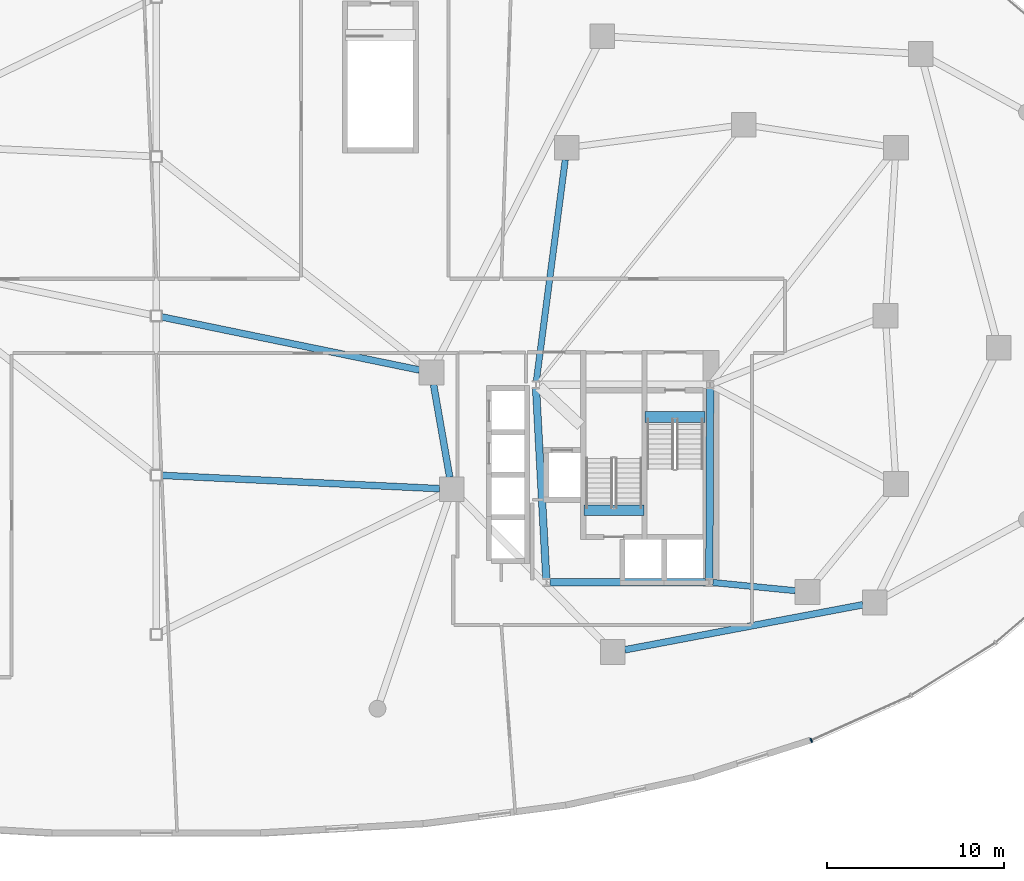
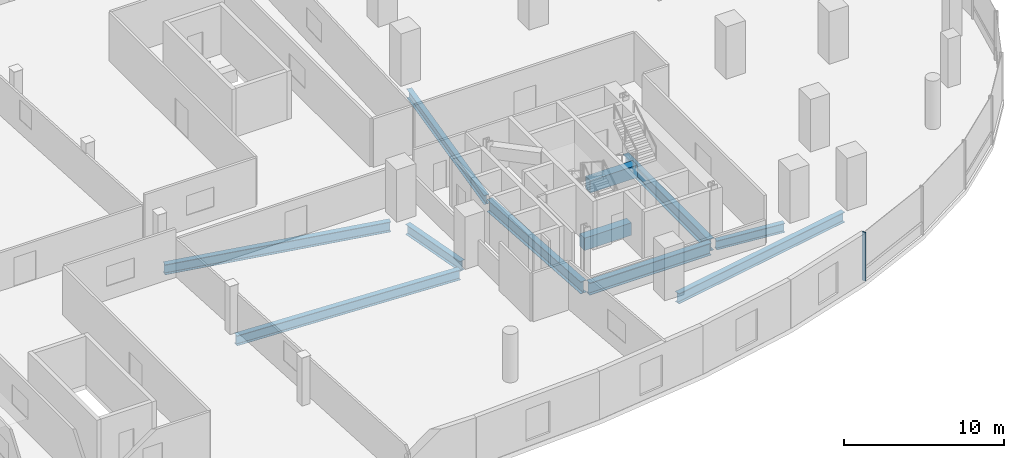
# One storey, part 7 of 18: 11 beams, 1 member, 1 element without a shape of its own.
"""IFC4 building model written with IfcOpenShell, lengths in metres."""

from ifc_helpers import new_model, si_unit, direction, frame, origin, origin_2d, place, context, subcontext, project, spatial, rectangle, i_section, extrude, material, material_profile, profile_set, type_object, element, aggregate, save


model = new_model("IFC4")

# Units and contexts
model_context = context("Model", 3, precision=1e-05, world=origin(), true_north=direction((0.0, 1.0)))
body_context = subcontext(model_context, "Body", "Model", "MODEL_VIEW")
ifc_project = project(units=[si_unit("LENGTHUNIT", "METRE"), si_unit("AREAUNIT", "SQUARE_METRE"), si_unit("VOLUMEUNIT", "CUBIC_METRE"), si_unit("PLANEANGLEUNIT", "RADIAN"), si_unit("MASSUNIT", "GRAM", prefix="KILO"), si_unit("THERMODYNAMICTEMPERATUREUNIT", "KELVIN"), si_unit("POWERUNIT", "WATT")], contexts=[model_context])

# Site, building, storey
site_placement = place(None, origin())
site = spatial("IfcSite", under=ifc_project, at=site_placement, CompositionType="ELEMENT")
building_placement = place(site_placement, origin())
building = spatial("IfcBuilding", under=site, at=building_placement, Name="Cundina Bronze Exchange", CompositionType="ELEMENT")
storey_placement = place(building_placement, frame((0.0, 0.0, 20.0)))
storey = spatial("IfcBuildingStorey", under=building, at=storey_placement, Name="L04", CompositionType="ELEMENT", Elevation=20.0)

# Beams
ifc_material_1 = material(Name="Concrete C60/75", Category="concrete")
ifc_material_profile_1 = material_profile(ifc_material_1, rectangle(XDim=0.60009765625, YDim=0.949951171875, at=origin_2d()), Name="RC600X950", Category="concrete")
ifc_profile_set_1 = profile_set([ifc_material_profile_1], Name="Concrete C60/75")
beam_type_1 = type_object("IfcBeamType", Name="BM-COUP-RC950", PredefinedType="LINTEL", material=ifc_profile_set_1)
beam_1_placement = place(storey_placement, frame((27.6201171875, -5.719970703125, -0.47509765625), z_axis=(1.0, 0.0, 0.0), x_axis=(0.0, 1.0, 0.0)))
element("IfcBeam", 1, at=beam_1_placement, inside=storey, type_object=beam_type_1, Name="L04 Stair E1 Landing Header Beam", PredefinedType="LINTEL", context=body_context, shape_type="SweptSolid", body=[
    extrude(rectangle(XDim=0.60009765625, YDim=0.949951171875, at=origin_2d()), origin(), (0.0, 0.0, 1.0), 3.39990234375),
])
beam_2_placement = place(storey_placement, frame((24.159912109375, -10.97998046875, -0.47509765625), z_axis=(1.0, 0.0, 0.0), x_axis=(0.0, 1.0, 0.0)))
element("IfcBeam", 2, at=beam_2_placement, inside=storey, type_object=beam_type_1, Name="L04 Stair E2 Landing Header Beam", PredefinedType="LINTEL", context=body_context, shape_type="SweptSolid", body=[
    extrude(rectangle(XDim=0.60009765625, YDim=0.949951171875, at=origin_2d()), origin(), (0.0, 0.0, 1.0), 3.400146484375),
])
ifc_material_2 = material(Name="Steel ASTM A992 Grade 50", Category="steel")
ifc_material_profile_2 = material_profile(ifc_material_2, i_section(OverallWidth=0.35498046875, OverallDepth=0.695068359375, WebThickness=0.015380859375, FlangeThickness=0.02490234375, FilletRadius=0.01806640625, at=origin_2d()), Name="W27X146", Category="steel")
ifc_profile_set_2 = profile_set([ifc_material_profile_2], Name="Steel ASTM A992 Grade 50")
beam_type_2 = type_object("IfcBeamType", Name="BM-RING-W27", PredefinedType="USERDEFINED", material=ifc_profile_set_2)
beam_3_placement = place(storey_placement, frame((31.452880859375, -15.070068359375, -0.697509765625), z_axis=(0.995123484374, -0.098636964914, 0.0), x_axis=(0.098636964914, 0.995123484374, 0.0)))
element("IfcBeam", 3, at=beam_3_placement, inside=storey, type_object=beam_type_2, Name="L04 E Inner Structural Ring Girder 01", ObjectType="GIRDER", PredefinedType="USERDEFINED", context=body_context, shape_type="SweptSolid", body=[
    extrude(i_section(OverallWidth=0.35498046875, OverallDepth=0.695068359375, WebThickness=0.015380859375, FlangeThickness=0.02490234375, FilletRadius=0.01806640625, at=origin_2d()), origin(), (0.0, 0.0, 1.0), 4.685546875),
])
beam_4_placement = place(storey_placement, frame((23.11083984375, 8.81787109375, -0.697509765625), z_axis=(-0.129498776905, -0.991579581668, 0.0), x_axis=(0.991579581668, -0.129498776905, 0.0)))
element("IfcBeam", 4, at=beam_4_placement, inside=storey, type_object=beam_type_2, Name="L04 E Inner Structural Ring Girder 07", ObjectType="GIRDER", PredefinedType="USERDEFINED", context=body_context, shape_type="SweptSolid", body=[
    extrude(i_section(OverallWidth=0.35498046875, OverallDepth=0.695068359375, WebThickness=0.015380859375, FlangeThickness=0.02490234375, FilletRadius=0.01806640625, at=origin_2d()), origin(), (0.0, 0.0, 1.0), 12.621826171875),
])
ifc_material_profile_3 = material_profile(ifc_material_2, i_section(OverallWidth=0.381103515625, OverallDepth=0.77294921875, WebThickness=0.0166015625, FlangeThickness=0.027099609375, FilletRadius=0.01904296875, at=origin_2d()), Name="W30X173", Category="steel")
ifc_profile_set_3 = profile_set([ifc_material_profile_3], Name="Steel ASTM A992 Grade 50")
beam_type_3 = type_object("IfcBeamType", Name="BM-RING-W30", PredefinedType="USERDEFINED", material=ifc_profile_set_3)
beam_5_placement = place(storey_placement, frame((0.28759765625, -9.013916015625, -0.736572265625), z_axis=(0.998854942473, -0.047841445389, 0.0), x_axis=(0.047841445389, 0.998854942473, 0.0)))
element("IfcBeam", 5, at=beam_5_placement, inside=storey, type_object=beam_type_3, Name="L04 Concourse East Span Girder 02", ObjectType="GIRDER", PredefinedType="USERDEFINED", context=body_context, shape_type="SweptSolid", body=[
    extrude(i_section(OverallWidth=0.381103515625, OverallDepth=0.77294921875, WebThickness=0.0166015625, FlangeThickness=0.027099609375, FilletRadius=0.01904296875, at=origin_2d()), origin(), (0.0, 0.0, 1.0), 15.7431640625),
])
beam_6_placement = place(storey_placement, frame((0.281982421875, -0.05810546875, -0.736572265625), z_axis=(0.979477217361, -0.201554907336, 0.0), x_axis=(0.201554907336, 0.979477217361, 0.0)))
element("IfcBeam", 6, at=beam_6_placement, inside=storey, type_object=beam_type_3, Name="L04 Concourse East Span Girder 03", ObjectType="GIRDER", PredefinedType="USERDEFINED", context=body_context, shape_type="SweptSolid", body=[
    extrude(i_section(OverallWidth=0.381103515625, OverallDepth=0.77294921875, WebThickness=0.0166015625, FlangeThickness=0.027099609375, FilletRadius=0.01904296875, at=origin_2d()), origin(), (0.0, 0.0, 1.0), 14.900146484375),
])
beam_7_placement = place(storey_placement, frame((15.668212890625, -3.877685546875, -0.736572265625), z_axis=(0.171608250567, -0.985165269555, 0.0), x_axis=(0.985165269555, 0.171608250567, 0.0)))
element("IfcBeam", 7, at=beam_7_placement, inside=storey, type_object=beam_type_3, Name="L04 E Podium Ring Girder 00", ObjectType="GIRDER", PredefinedType="USERDEFINED", context=body_context, shape_type="SweptSolid", body=[
    extrude(i_section(OverallWidth=0.381103515625, OverallDepth=0.77294921875, WebThickness=0.0166015625, FlangeThickness=0.027099609375, FilletRadius=0.01904296875, at=origin_2d()), origin(), (0.0, 0.0, 1.0), 5.323486328125),
])
beam_8_placement = place(storey_placement, frame((26.47607421875, -18.8720703125, -0.736572265625), z_axis=(0.982570597927, 0.18588980631, 0.0), x_axis=(-0.18588980631, 0.982570597927, 0.0)))
element("IfcBeam", 8, at=beam_8_placement, inside=storey, type_object=beam_type_3, Name="L04 E Podium Ring Girder 04", ObjectType="GIRDER", PredefinedType="USERDEFINED", context=body_context, shape_type="SweptSolid", body=[
    extrude(i_section(OverallWidth=0.381103515625, OverallDepth=0.77294921875, WebThickness=0.0166015625, FlangeThickness=0.027099609375, FilletRadius=0.01904296875, at=origin_2d()), origin(), (0.0, 0.0, 1.0), 13.6865234375),
])
ifc_material_profile_4 = material_profile(ifc_material_2, i_section(OverallWidth=0.41796875, OverallDepth=0.927001953125, WebThickness=0.019287109375, FlangeThickness=0.031982421875, FilletRadius=0.02392578125, at=origin_2d()), Name="W36X231", Category="steel")
ifc_profile_set_4 = profile_set([ifc_material_profile_4], Name="Steel ASTM A992 Grade 50")
beam_type_4 = type_object("IfcBeamType", Name="BM-WRN-W36B", PredefinedType="USERDEFINED", material=ifc_profile_set_4)
beam_9_placement = place(storey_placement, frame((21.4609375, -4.103759765625, -0.8134765625), z_axis=(0.053739193498, -0.998555005537, 0.0), x_axis=(0.998555005537, 0.053739193498, 0.0)))
element("IfcBeam", 9, at=beam_9_placement, inside=storey, type_object=beam_type_4, Name="L04 E Core Perimeter Tie Girder 2", ObjectType="GIRDER", PredefinedType="USERDEFINED", context=body_context, shape_type="SweptSolid", body=[
    extrude(i_section(OverallWidth=0.41796875, OverallDepth=0.927001953125, WebThickness=0.019287109375, FlangeThickness=0.031982421875, FilletRadius=0.02392578125, at=origin_2d()), origin(), (0.0, 0.0, 1.0), 10.758056640625),
])
beam_10_placement = place(storey_placement, frame((22.25390625, -15.050048828125, -0.8134765625), z_axis=(1.0, 0.0, 0.0), x_axis=(0.0, 1.0, 0.0)))
element("IfcBeam", 10, at=beam_10_placement, inside=storey, type_object=beam_type_4, Name="L04 E Core Perimeter Tie Girder 3", ObjectType="GIRDER", PredefinedType="USERDEFINED", context=body_context, shape_type="SweptSolid", body=[
    extrude(i_section(OverallWidth=0.41796875, OverallDepth=0.927001953125, WebThickness=0.019287109375, FlangeThickness=0.031982421875, FilletRadius=0.02392578125, at=origin_2d()), origin(), (0.0, 0.0, 1.0), 8.7919921875),
])
beam_11_placement = place(storey_placement, frame((31.2509765625, -14.845947265625, -0.8134765625), z_axis=(0.004477329608, 0.99998997671, 0.0), x_axis=(-0.99998997671, 0.004477329608, 0.0)))
element("IfcBeam", 11, at=beam_11_placement, inside=storey, type_object=beam_type_4, Name="L04 E Core Perimeter Tie Girder 4", ObjectType="GIRDER", PredefinedType="USERDEFINED", context=body_context, shape_type="SweptSolid", body=[
    extrude(i_section(OverallWidth=0.41796875, OverallDepth=0.927001953125, WebThickness=0.019287109375, FlangeThickness=0.031982421875, FilletRadius=0.02392578125, at=origin_2d()), origin(), (0.0, 0.0, 1.0), 10.741943359375),
])

# Curtain wall, member
ifc_material_3 = material(Name="Anodised Bronze Aluminium 6063-T6", Category="aluminium")
curtain_wall_type = type_object("IfcCurtainWallType", Name="CWS-POD-CONC", PredefinedType="NOTDEFINED", material=ifc_material_3)
curtain_wall_placement = place(storey_placement, origin())
curtain_wall = element("IfcCurtainWall", 12, at=curtain_wall_placement, inside=storey, type_object=curtain_wall_type, Name="L04 CW-01 Curtain Wall Run CWR-L04-06", PredefinedType="NOTDEFINED")
ifc_material_profile_5 = material_profile(ifc_material_3, rectangle(XDim=0.0849609375, YDim=0.25, at=origin_2d()), Name="AL85X250", Category="aluminium")
ifc_profile_set_5 = profile_set([ifc_material_profile_5], Name="Anodised Bronze Aluminium 6063-T6")
member_type = type_object("IfcMemberType", Name="CWM-MUL-250", PredefinedType="MULLION", material=ifc_profile_set_5)
member_placement = place(storey_placement, frame((37.013671875, -23.990478515625, 0.0), z_axis=(0.0, 0.0, 1.0), x_axis=(0.911618620107, 0.411037092578, 0.0)))
member = element("IfcMember", 13, at=member_placement, type_object=member_type, Name="CW-01 Mullion 1", PredefinedType="MULLION", context=body_context, shape_type="SweptSolid", body=[
    extrude(rectangle(XDim=0.0849609375, YDim=0.25, at=origin_2d()), origin(), (0.0, 0.0, 1.0), 3.699951171875),
])
aggregate(curtain_wall, [member])

save(model, "model.ifc")
